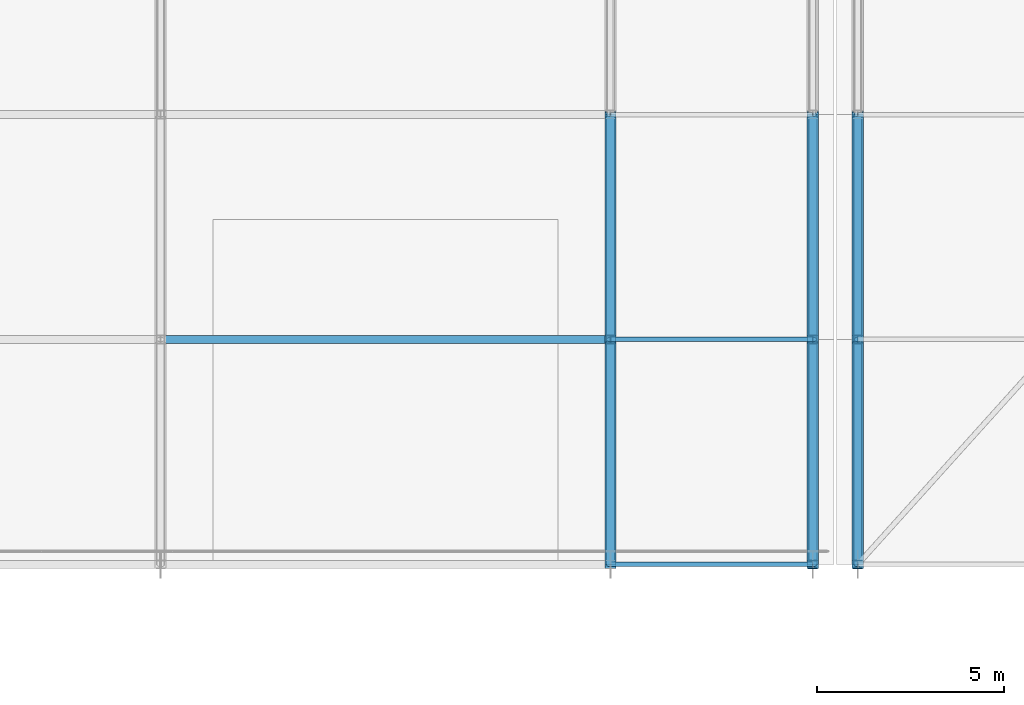
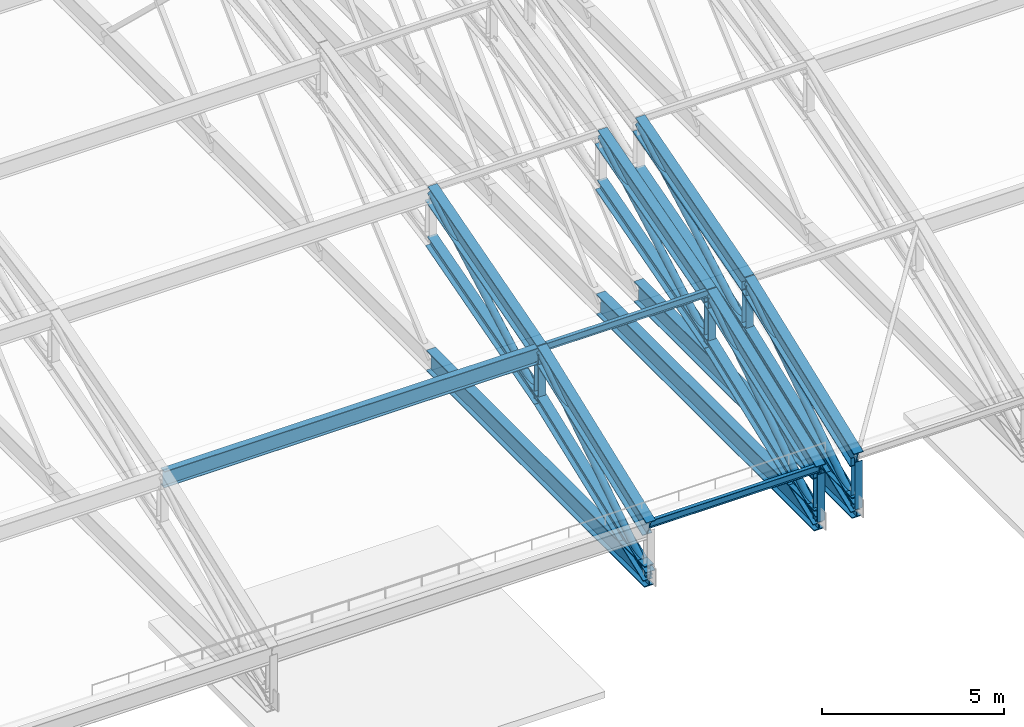
# One storey, part 76 of 204: 29 members.
"""IFC4 building model written with IfcOpenShell, lengths in metres."""

from ifc_helpers import new_model, si_unit, direction, frame, origin, origin_2d, place, context, subcontext, project, spatial, hollow_circle, i_section, extrude, material, material_profile, profile_set, type_object, element, save


model = new_model("IFC4")

# Units and contexts
model_context = context("Model", 3, precision=1e-05, world=origin(), true_north=direction((0.0, 1.0)))
body_context = subcontext(model_context, "Body", "Model", "MODEL_VIEW")
ifc_project = project(units=[si_unit("LENGTHUNIT", "METRE"), si_unit("AREAUNIT", "SQUARE_METRE"), si_unit("VOLUMEUNIT", "CUBIC_METRE"), si_unit("PLANEANGLEUNIT", "RADIAN"), si_unit("MASSUNIT", "GRAM", prefix="KILO")], contexts=[model_context])

# Site, building, storey
site_placement = place(None, origin())
site = spatial("IfcSite", under=ifc_project, at=site_placement, CompositionType="ELEMENT")
building_placement = place(site_placement, origin())
building = spatial("IfcBuilding", under=site, at=building_placement, Name="Zilviju Railside Exhibition Hall", CompositionType="ELEMENT")
storey_placement = place(building_placement, frame((0.0, 0.0, 21.0)))
storey = spatial("IfcBuildingStorey", under=building, at=storey_placement, Name="RF", CompositionType="ELEMENT", Elevation=21.0)

# Members
ifc_material = material(Name="Steel S355J2", Category="steel")
ifc_material_profile_1 = material_profile(ifc_material, hollow_circle(Radius=0.109619140625, WallThickness=0.010009765625, at=origin_2d()), Name="CHS 219.1x10.0")
ifc_profile_set_1 = profile_set([ifc_material_profile_1], Name="Steel S355J2")
member_type_1 = type_object("IfcMemberType", Name="TR-BR-CHS219", PredefinedType="BRACE", material=ifc_profile_set_1)
member_1_placement = place(storey_placement, frame((120.0, 84.0, -3.60009765625), z_axis=(0.0, 0.838995406637, 0.544138500423), x_axis=(-1.0, 0.0, 0.0)))
element("IfcMember", 1, at=member_1_placement, inside=storey, type_object=member_type_1, Name="V2 Parabolic Arch Web Diagonal X=120.0 P1", PredefinedType="BRACE", context=body_context, shape_type="SweptSolid", body=[
    extrude(hollow_circle(Radius=0.109619140625, WallThickness=0.010009765625, at=origin_2d()), origin(), (0.0, 0.0, 1.0), 7.1513671875),
])
member_2_placement = place(storey_placement, frame((120.0, 90.0, -1.30859375), z_axis=(0.0, 0.8750828143, 0.483973210122), x_axis=(-1.0, 0.0, 0.0)))
element("IfcMember", 2, at=member_2_placement, inside=storey, type_object=member_type_1, Name="V2 Parabolic Arch Web Diagonal X=120.0 P2", PredefinedType="BRACE", context=body_context, shape_type="SweptSolid", body=[
    extrude(hollow_circle(Radius=0.109619140625, WallThickness=0.010009765625, at=origin_2d()), origin(), (0.0, 0.0, 1.0), 6.8564453125),
])
member_3_placement = place(storey_placement, frame((125.39990234375, 84.0, -3.60009765625), z_axis=(0.0, 0.838995406637, 0.544138500423), x_axis=(-1.0, 0.0, 0.0)))
element("IfcMember", 3, at=member_3_placement, inside=storey, type_object=member_type_1, Name="V2 Parabolic Arch Web Diagonal X=125.4 P1", PredefinedType="BRACE", context=body_context, shape_type="SweptSolid", body=[
    extrude(hollow_circle(Radius=0.109619140625, WallThickness=0.010009765625, at=origin_2d()), origin(), (0.0, 0.0, 1.0), 7.1513671875),
])
member_4_placement = place(storey_placement, frame((125.39990234375, 90.0, -1.30859375), z_axis=(0.0, 0.8750828143, 0.483973210122), x_axis=(-1.0, 0.0, 0.0)))
element("IfcMember", 4, at=member_4_placement, inside=storey, type_object=member_type_1, Name="V2 Parabolic Arch Web Diagonal X=125.4 P2", PredefinedType="BRACE", context=body_context, shape_type="SweptSolid", body=[
    extrude(hollow_circle(Radius=0.109619140625, WallThickness=0.010009765625, at=origin_2d()), origin(), (0.0, 0.0, 1.0), 6.8564453125),
])
member_5_placement = place(storey_placement, frame((126.60009765625, 84.0, -3.60009765625), z_axis=(0.0, 0.838995406637, 0.544138500423), x_axis=(-1.0, 0.0, 0.0)))
element("IfcMember", 5, at=member_5_placement, inside=storey, type_object=member_type_1, Name="V2 Parabolic Arch Web Diagonal X=126.6 P1", PredefinedType="BRACE", context=body_context, shape_type="SweptSolid", body=[
    extrude(hollow_circle(Radius=0.109619140625, WallThickness=0.010009765625, at=origin_2d()), origin(), (0.0, 0.0, 1.0), 7.1513671875),
])
member_6_placement = place(storey_placement, frame((126.60009765625, 90.0, -1.30859375), z_axis=(0.0, 0.8750828143, 0.483973210122), x_axis=(-1.0, 0.0, 0.0)))
element("IfcMember", 6, at=member_6_placement, inside=storey, type_object=member_type_1, Name="V2 Parabolic Arch Web Diagonal X=126.6 P2", PredefinedType="BRACE", context=body_context, shape_type="SweptSolid", body=[
    extrude(hollow_circle(Radius=0.109619140625, WallThickness=0.010009765625, at=origin_2d()), origin(), (0.0, 0.0, 1.0), 6.8564453125),
])
ifc_material_profile_2 = material_profile(ifc_material, i_section(OverallWidth=0.300048828125, OverallDepth=0.39990234375, WebThickness=0.013427734375, FlangeThickness=0.02392578125, at=origin_2d()), Name="HEB 400")
ifc_profile_set_2 = profile_set([ifc_material_profile_2], Name="Steel S355J2")
member_type_2 = type_object("IfcMemberType", Name="TR-CH-HEB400", PredefinedType="CHORD", material=ifc_profile_set_2)
member_7_placement = place(storey_placement, frame((120.0, 84.0, -3.60009765625), z_axis=(0.0, 0.934187521086, 0.35678239229), x_axis=(-1.0, 0.0, 0.0)))
element("IfcMember", 7, at=member_7_placement, inside=storey, type_object=member_type_2, Name="V2 Parabolic Arch Bottom Chord X=120.0 P1", PredefinedType="CHORD", context=body_context, shape_type="SweptSolid", body=[
    extrude(i_section(OverallWidth=0.300048828125, OverallDepth=0.39990234375, WebThickness=0.013427734375, FlangeThickness=0.02392578125, at=origin_2d()), origin(), (0.0, 0.0, 1.0), 6.422607421875),
])
member_8_placement = place(storey_placement, frame((120.0, 90.0, -1.30859375), z_axis=(0.0, 0.961345133658, 0.275346207512), x_axis=(-1.0, 0.0, 0.0)))
element("IfcMember", 8, at=member_8_placement, inside=storey, type_object=member_type_2, Name="V2 Parabolic Arch Bottom Chord X=120.0 P2", PredefinedType="CHORD", context=body_context, shape_type="SweptSolid", body=[
    extrude(i_section(OverallWidth=0.300048828125, OverallDepth=0.39990234375, WebThickness=0.013427734375, FlangeThickness=0.02392578125, at=origin_2d()), origin(), (0.0, 0.0, 1.0), 6.2412109375),
])
member_9_placement = place(storey_placement, frame((125.39990234375, 84.0, -3.60009765625), z_axis=(0.0, 0.934187521086, 0.35678239229), x_axis=(-1.0, 0.0, 0.0)))
element("IfcMember", 9, at=member_9_placement, inside=storey, type_object=member_type_2, Name="V2 Parabolic Arch Bottom Chord X=125.4 P1", PredefinedType="CHORD", context=body_context, shape_type="SweptSolid", body=[
    extrude(i_section(OverallWidth=0.300048828125, OverallDepth=0.39990234375, WebThickness=0.013427734375, FlangeThickness=0.02392578125, at=origin_2d()), origin(), (0.0, 0.0, 1.0), 6.422607421875),
])
member_10_placement = place(storey_placement, frame((125.39990234375, 90.0, -1.30859375), z_axis=(0.0, 0.961345133658, 0.275346207512), x_axis=(-1.0, 0.0, 0.0)))
element("IfcMember", 10, at=member_10_placement, inside=storey, type_object=member_type_2, Name="V2 Parabolic Arch Bottom Chord X=125.4 P2", PredefinedType="CHORD", context=body_context, shape_type="SweptSolid", body=[
    extrude(i_section(OverallWidth=0.300048828125, OverallDepth=0.39990234375, WebThickness=0.013427734375, FlangeThickness=0.02392578125, at=origin_2d()), origin(), (0.0, 0.0, 1.0), 6.2412109375),
])
member_11_placement = place(storey_placement, frame((126.60009765625, 84.0, -3.60009765625), z_axis=(0.0, 0.934187521086, 0.35678239229), x_axis=(-1.0, 0.0, 0.0)))
element("IfcMember", 11, at=member_11_placement, inside=storey, type_object=member_type_2, Name="V2 Parabolic Arch Bottom Chord X=126.6 P1", PredefinedType="CHORD", context=body_context, shape_type="SweptSolid", body=[
    extrude(i_section(OverallWidth=0.300048828125, OverallDepth=0.39990234375, WebThickness=0.013427734375, FlangeThickness=0.02392578125, at=origin_2d()), origin(), (0.0, 0.0, 1.0), 6.422607421875),
])
member_12_placement = place(storey_placement, frame((126.60009765625, 90.0, -1.30859375), z_axis=(0.0, 0.961345133658, 0.275346207512), x_axis=(-1.0, 0.0, 0.0)))
element("IfcMember", 12, at=member_12_placement, inside=storey, type_object=member_type_2, Name="V2 Parabolic Arch Bottom Chord X=126.6 P2", PredefinedType="CHORD", context=body_context, shape_type="SweptSolid", body=[
    extrude(i_section(OverallWidth=0.300048828125, OverallDepth=0.39990234375, WebThickness=0.013427734375, FlangeThickness=0.02392578125, at=origin_2d()), origin(), (0.0, 0.0, 1.0), 6.2412109375),
])
ifc_material_profile_3 = material_profile(ifc_material, i_section(OverallWidth=0.300048828125, OverallDepth=0.60009765625, WebThickness=0.015380859375, FlangeThickness=0.030029296875, at=origin_2d()), Name="HEB 600")
ifc_profile_set_3 = profile_set([ifc_material_profile_3], Name="Steel S355J2")
member_type_3 = type_object("IfcMemberType", Name="TR-CH-HEB600", PredefinedType="CHORD", material=ifc_profile_set_3)
member_13_placement = place(storey_placement, frame((120.0, 84.0, -2.0), z_axis=(0.0, 0.934200190194, 0.356749218138), x_axis=(-1.0, 0.0, 0.0)))
element("IfcMember", 13, at=member_13_placement, inside=storey, type_object=member_type_3, Name="V2 Parabolic Arch Top Chord X=120.0 P1", PredefinedType="CHORD", context=body_context, shape_type="SweptSolid", body=[
    extrude(i_section(OverallWidth=0.300048828125, OverallDepth=0.60009765625, WebThickness=0.015380859375, FlangeThickness=0.030029296875, at=origin_2d()), origin(), (0.0, 0.0, 1.0), 6.422607421875),
])
member_14_placement = place(storey_placement, frame((120.0, 90.0, 0.291259765625), z_axis=(0.0, 0.961345133658, 0.275346207512), x_axis=(-1.0, 0.0, 0.0)))
element("IfcMember", 14, at=member_14_placement, inside=storey, type_object=member_type_3, Name="V2 Parabolic Arch Top Chord X=120.0 P2", PredefinedType="CHORD", context=body_context, shape_type="SweptSolid", body=[
    extrude(i_section(OverallWidth=0.300048828125, OverallDepth=0.60009765625, WebThickness=0.015380859375, FlangeThickness=0.030029296875, at=origin_2d()), origin(), (0.0, 0.0, 1.0), 6.2412109375),
])
member_15_placement = place(storey_placement, frame((125.39990234375, 84.0, -2.0), z_axis=(0.0, 0.934200190194, 0.356749218138), x_axis=(-1.0, 0.0, 0.0)))
element("IfcMember", 15, at=member_15_placement, inside=storey, type_object=member_type_3, Name="V2 Parabolic Arch Top Chord X=125.4 P1", PredefinedType="CHORD", context=body_context, shape_type="SweptSolid", body=[
    extrude(i_section(OverallWidth=0.300048828125, OverallDepth=0.60009765625, WebThickness=0.015380859375, FlangeThickness=0.030029296875, at=origin_2d()), origin(), (0.0, 0.0, 1.0), 6.422607421875),
])
member_16_placement = place(storey_placement, frame((125.39990234375, 90.0, 0.291259765625), z_axis=(0.0, 0.961345133658, 0.275346207512), x_axis=(-1.0, 0.0, 0.0)))
element("IfcMember", 16, at=member_16_placement, inside=storey, type_object=member_type_3, Name="V2 Parabolic Arch Top Chord X=125.4 P2", PredefinedType="CHORD", context=body_context, shape_type="SweptSolid", body=[
    extrude(i_section(OverallWidth=0.300048828125, OverallDepth=0.60009765625, WebThickness=0.015380859375, FlangeThickness=0.030029296875, at=origin_2d()), origin(), (0.0, 0.0, 1.0), 6.2412109375),
])
member_17_placement = place(storey_placement, frame((126.60009765625, 84.0, -2.0), z_axis=(0.0, 0.934200190194, 0.356749218138), x_axis=(-1.0, 0.0, 0.0)))
element("IfcMember", 17, at=member_17_placement, inside=storey, type_object=member_type_3, Name="V2 Parabolic Arch Top Chord X=126.6 P1", PredefinedType="CHORD", context=body_context, shape_type="SweptSolid", body=[
    extrude(i_section(OverallWidth=0.300048828125, OverallDepth=0.60009765625, WebThickness=0.015380859375, FlangeThickness=0.030029296875, at=origin_2d()), origin(), (0.0, 0.0, 1.0), 6.422607421875),
])
member_18_placement = place(storey_placement, frame((126.60009765625, 90.0, 0.291259765625), z_axis=(0.0, 0.961345133658, 0.275346207512), x_axis=(-1.0, 0.0, 0.0)))
element("IfcMember", 18, at=member_18_placement, inside=storey, type_object=member_type_3, Name="V2 Parabolic Arch Top Chord X=126.6 P2", PredefinedType="CHORD", context=body_context, shape_type="SweptSolid", body=[
    extrude(i_section(OverallWidth=0.300048828125, OverallDepth=0.60009765625, WebThickness=0.015380859375, FlangeThickness=0.030029296875, at=origin_2d()), origin(), (0.0, 0.0, 1.0), 6.2412109375),
])
ifc_material_profile_4 = material_profile(ifc_material, i_section(OverallWidth=0.239990234375, OverallDepth=0.22998046875, WebThickness=0.007568359375, FlangeThickness=0.011962890625, at=origin_2d()), Name="HEA 240")
ifc_profile_set_4 = profile_set([ifc_material_profile_4], Name="Steel S355J2")
member_type_4 = type_object("IfcMemberType", Name="TR-POST-HEA240", PredefinedType="POST", material=ifc_profile_set_4)
member_19_placement = place(storey_placement, frame((120.0, 90.0, -1.30859375), z_axis=(0.0, 0.0, 1.0), x_axis=(1.0, 0.0, 0.0)))
element("IfcMember", 19, at=member_19_placement, inside=storey, type_object=member_type_4, Name="V2 Parabolic Arch Web Post X=120.0 N1", PredefinedType="POST", context=body_context, shape_type="SweptSolid", body=[
    extrude(i_section(OverallWidth=0.239990234375, OverallDepth=0.22998046875, WebThickness=0.007568359375, FlangeThickness=0.011962890625, at=origin_2d()), origin(), (0.0, 0.0, 1.0), 1.599853515625),
])
member_20_placement = place(storey_placement, frame((125.39990234375, 84.0, -3.60009765625), z_axis=(0.0, 0.0, 1.0), x_axis=(1.0, 0.0, 0.0)))
element("IfcMember", 20, at=member_20_placement, inside=storey, type_object=member_type_4, Name="V2 Parabolic Arch Web Post X=125.4 N0", PredefinedType="POST", context=body_context, shape_type="SweptSolid", body=[
    extrude(i_section(OverallWidth=0.239990234375, OverallDepth=0.22998046875, WebThickness=0.007568359375, FlangeThickness=0.011962890625, at=origin_2d()), origin(), (0.0, 0.0, 1.0), 1.60009765625),
])
member_21_placement = place(storey_placement, frame((125.39990234375, 90.0, -1.30859375), z_axis=(0.0, 0.0, 1.0), x_axis=(1.0, 0.0, 0.0)))
element("IfcMember", 21, at=member_21_placement, inside=storey, type_object=member_type_4, Name="V2 Parabolic Arch Web Post X=125.4 N1", PredefinedType="POST", context=body_context, shape_type="SweptSolid", body=[
    extrude(i_section(OverallWidth=0.239990234375, OverallDepth=0.22998046875, WebThickness=0.007568359375, FlangeThickness=0.011962890625, at=origin_2d()), origin(), (0.0, 0.0, 1.0), 1.599853515625),
])
member_22_placement = place(storey_placement, frame((126.60009765625, 84.0, -3.60009765625), z_axis=(0.0, 0.0, 1.0), x_axis=(1.0, 0.0, 0.0)))
element("IfcMember", 22, at=member_22_placement, inside=storey, type_object=member_type_4, Name="V2 Parabolic Arch Web Post X=126.6 N0", PredefinedType="POST", context=body_context, shape_type="SweptSolid", body=[
    extrude(i_section(OverallWidth=0.239990234375, OverallDepth=0.22998046875, WebThickness=0.007568359375, FlangeThickness=0.011962890625, at=origin_2d()), origin(), (0.0, 0.0, 1.0), 1.60009765625),
])
member_23_placement = place(storey_placement, frame((126.60009765625, 90.0, -1.30859375), z_axis=(0.0, 0.0, 1.0), x_axis=(1.0, 0.0, 0.0)))
element("IfcMember", 23, at=member_23_placement, inside=storey, type_object=member_type_4, Name="V2 Parabolic Arch Web Post X=126.6 N1", PredefinedType="POST", context=body_context, shape_type="SweptSolid", body=[
    extrude(i_section(OverallWidth=0.239990234375, OverallDepth=0.22998046875, WebThickness=0.007568359375, FlangeThickness=0.011962890625, at=origin_2d()), origin(), (0.0, 0.0, 1.0), 1.599853515625),
])
ifc_material_profile_5 = material_profile(ifc_material, i_section(OverallWidth=0.1201171875, OverallDepth=0.239990234375, WebThickness=0.006103515625, FlangeThickness=0.009765625, at=origin_2d()), Name="IPE 240")
ifc_profile_set_5 = profile_set([ifc_material_profile_5], Name="Steel S355J2")
member_type_5 = type_object("IfcMemberType", Name="TR-PUR-IPE240", PredefinedType="PURLIN", material=ifc_profile_set_5)
for number, where, z_axis, x_axis, name in (
    (24, (120.0, 84.0, -1.85693359375), (1.0, 0.0, 0.0), (0.0, 1.0, 0.0), "V2 Barrel Vault Roof Purlin Y=84.0 (120.0..125.4)"),
    (25, (120.0, 90.0, 0.41162109375), (1.0, 0.0, 0.0), (0.0, 1.0, 0.0), "V2 Barrel Vault Roof Purlin Y=90.0 (120.0..125.4)"),
):
    element("IfcMember", number, at=place(storey_placement, frame(where, z_axis=z_axis, x_axis=x_axis)), inside=storey, type_object=member_type_5, Name=name, PredefinedType="PURLIN", context=body_context, shape_type="SweptSolid", body=[
        extrude(i_section(OverallWidth=0.1201171875, OverallDepth=0.239990234375, WebThickness=0.006103515625, FlangeThickness=0.009765625, at=origin_2d()), origin(), (0.0, 0.0, 1.0), 5.39990234375),
    ])
ifc_material_profile_6 = material_profile(ifc_material, i_section(OverallWidth=0.2099609375, OverallDepth=0.550048828125, WebThickness=0.010986328125, FlangeThickness=0.01708984375, at=origin_2d()), Name="IPE 550")
ifc_profile_set_6 = profile_set([ifc_material_profile_6], Name="Steel S355J2")
member_type_6 = type_object("IfcMemberType", Name="TR-PUR-IPE550", PredefinedType="PURLIN", material=ifc_profile_set_6)
member_24_placement = place(storey_placement, frame((108.0, 90.0, 0.239501953125), z_axis=(1.0, 0.0, 0.0), x_axis=(0.0, 1.0, 0.0)))
element("IfcMember", 26, at=member_24_placement, inside=storey, type_object=member_type_6, Name="V2 Barrel Vault Roof Purlin Y=90.0 (108.0..120.0)", PredefinedType="PURLIN", context=body_context, shape_type="SweptSolid", body=[
    extrude(i_section(OverallWidth=0.2099609375, OverallDepth=0.550048828125, WebThickness=0.010986328125, FlangeThickness=0.01708984375, at=origin_2d()), origin(), (0.0, 0.0, 1.0), 12.0),
])
ifc_material_profile_7 = material_profile(ifc_material, i_section(OverallWidth=0.300048828125, OverallDepth=0.699951171875, WebThickness=0.01708984375, FlangeThickness=0.031982421875, at=origin_2d()), Name="HEB 700")
ifc_profile_set_7 = profile_set([ifc_material_profile_7], Name="Steel S355J2")
member_type_7 = type_object("IfcMemberType", Name="TR-TIE-HEB700", PredefinedType="CHORD", material=ifc_profile_set_7)
for number, where, z_axis, x_axis, name in (
    (27, (120.0, 84.0, -3.60009765625), (0.0, 1.0, 0.0), (-1.0, 0.0, 0.0), "V2 Arch Tie Member X=120.0"),
    (28, (125.39990234375, 84.0, -3.60009765625), (0.0, 1.0, 0.0), (-1.0, 0.0, 0.0), "V2 Arch Tie Member X=125.4"),
    (29, (126.60009765625, 84.0, -3.60009765625), (0.0, 1.0, 0.0), (-1.0, 0.0, 0.0), "V2 Arch Tie Member X=126.6"),
):
    element("IfcMember", number, at=place(storey_placement, frame(where, z_axis=z_axis, x_axis=x_axis)), inside=storey, type_object=member_type_7, Name=name, PredefinedType="CHORD", context=body_context, shape_type="SweptSolid", body=[
        extrude(i_section(OverallWidth=0.300048828125, OverallDepth=0.699951171875, WebThickness=0.01708984375, FlangeThickness=0.031982421875, at=origin_2d()), origin(), (0.0, 0.0, 1.0), 12.0),
    ])

save(model, "model.ifc")
